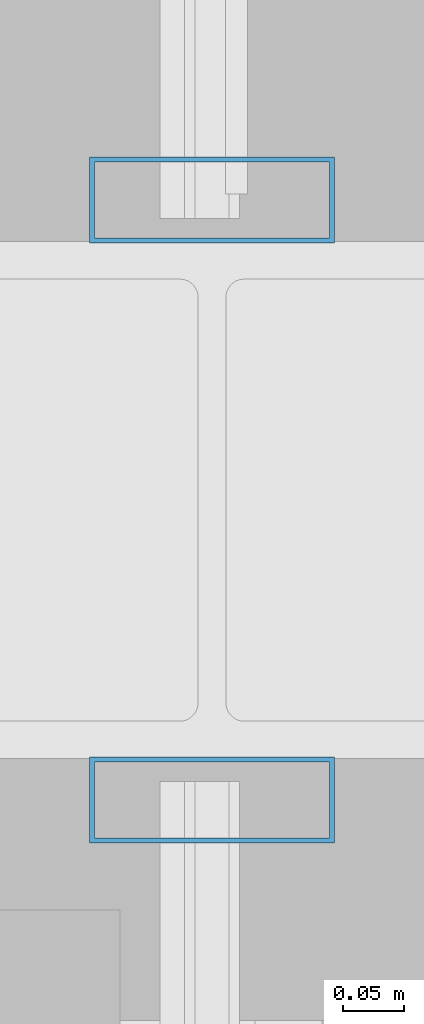
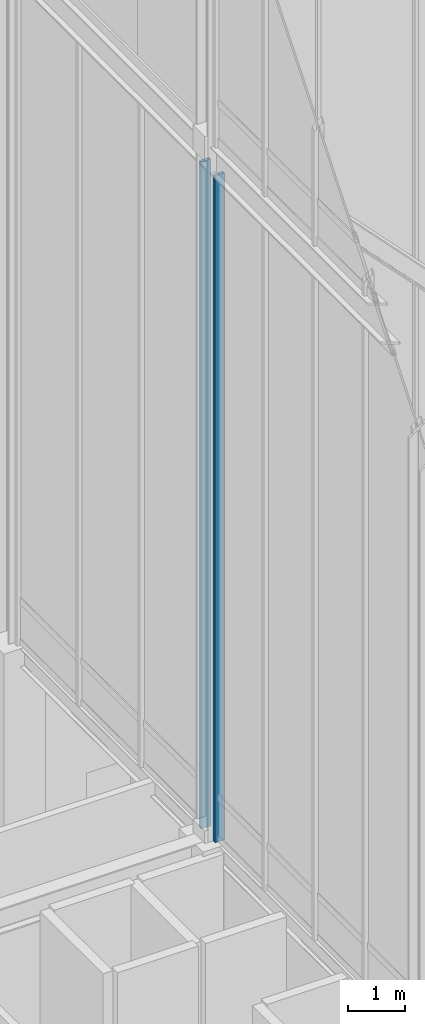
# One storey, part 19 of 49: 2 members, 2 elements without a shape of their own.
"""IFC4 building model written with IfcOpenShell, lengths in metres."""

from ifc_helpers import new_model, si_unit, direction, frame, origin, origin_2d, place, context, subcontext, project, spatial, hollow_rectangle, extrude, source, transform, mapped, material, layer, layer_set, material_profile, profile_set, type_object, element, aggregate, save


model = new_model("IFC4")

# Units and contexts
model_context = context("Model", 3, precision=1e-05, world=origin(), true_north=direction((0.0, 1.0)))
body_context = subcontext(model_context, "Body", "Model", "MODEL_VIEW")
ifc_project = project(units=[si_unit("LENGTHUNIT", "METRE"), si_unit("AREAUNIT", "SQUARE_METRE"), si_unit("VOLUMEUNIT", "CUBIC_METRE"), si_unit("PLANEANGLEUNIT", "RADIAN"), si_unit("MASSUNIT", "GRAM", prefix="KILO")], contexts=[model_context])

# Site, building, storey
site_placement = place(None, origin())
site = spatial("IfcSite", under=ifc_project, at=site_placement, CompositionType="ELEMENT")
building_placement = place(site_placement, origin())
building = spatial("IfcBuilding", under=site, at=building_placement, Name="Kaliganga Portal Commons", CompositionType="ELEMENT")
storey_placement = place(building_placement, frame((0.0, 0.0, 298.0)))
storey = spatial("IfcBuildingStorey", under=building, at=storey_placement, Name="L77", CompositionType="ELEMENT", Elevation=298.0)

# Curtain wall, member
ifc_material_1 = material(Name="Anodized Aluminium and Laminated Low-E Glass", Category="aluminium")
ifc_layer = layer(ifc_material_1, 0.25)
ifc_layer_set = layer_set([ifc_layer], Name="Anodized Aluminium and Laminated Low-E Glass")
curtain_wall_type = type_object("IfcCurtainWallType", Name="CW-SYS-06", PredefinedType="NOTDEFINED", material=ifc_layer_set)
curtain_wall_1_placement = place(storey_placement, origin())
curtain_wall_1 = element("IfcCurtainWall", 1, at=curtain_wall_1_placement, inside=storey, type_object=curtain_wall_type, Name="CW 06 L77 W", PredefinedType="NOTDEFINED")
ifc_material_2 = material(Name="Dark Bronze Anodized Aluminium", Category="aluminium")
ifc_material_profile = material_profile(ifc_material_2, hollow_rectangle(XDim=0.070068359375, YDim=0.199951171875, WallThickness=0.00390625, at=origin_2d()), Name="ALU MULL 70x200x4")
ifc_profile_set = profile_set([ifc_material_profile], Name="Dark Bronze Anodized Aluminium")
member_type = type_object("IfcMemberType", Name="CW-MUL-220", PredefinedType="MULLION", material=ifc_profile_set)
shared_shape = source(origin(), body_context, "Body", "SweptSolid", [
    extrude(hollow_rectangle(XDim=0.070068359375, YDim=0.199951171875, WallThickness=0.00390625, at=origin_2d()), origin(), (0.0, 0.0, 1.0), 14.39990234375),
])
member_1_placement = place(storey_placement, frame((14.39990234375, 35.905029296875, 6.0), z_axis=(0.0, 0.0, 1.0), x_axis=(0.0, 1.0, 0.0)))
member_1 = element("IfcMember", 2, at=member_1_placement, type_object=member_type, Name="CW:06:L77:W Mullion 04", PredefinedType="MULLION", context=body_context, shape_type="MappedRepresentation", body=[
    mapped(shared_shape, transform((0.0, 0.0, 0.0), x_axis=(1.0, 0.0, 0.0), y_axis=(0.0, 1.0, 0.0), z_axis=(0.0, 0.0, 1.0), scale=1.0)),
])
aggregate(curtain_wall_1, [member_1])

curtain_wall_2_placement = place(storey_placement, origin())
curtain_wall_2 = element("IfcCurtainWall", 3, at=curtain_wall_2_placement, inside=storey, type_object=curtain_wall_type, Name="CW 06 L77 WN", PredefinedType="NOTDEFINED")
member_2_placement = place(storey_placement, frame((14.39990234375, 36.39501953125, 6.0), z_axis=(0.0, 0.0, 1.0), x_axis=(0.0, 1.0, 0.0)))
member_2 = element("IfcMember", 4, at=member_2_placement, type_object=member_type, Name="CW:06:L77:WN Mullion 00", PredefinedType="MULLION", context=body_context, shape_type="MappedRepresentation", body=[
    mapped(shared_shape, transform((0.0, 0.0, 0.0), x_axis=(1.0, 0.0, 0.0), y_axis=(0.0, 1.0, 0.0), z_axis=(0.0, 0.0, 1.0), scale=1.0)),
])
aggregate(curtain_wall_2, [member_2])

save(model, "model.ifc")
